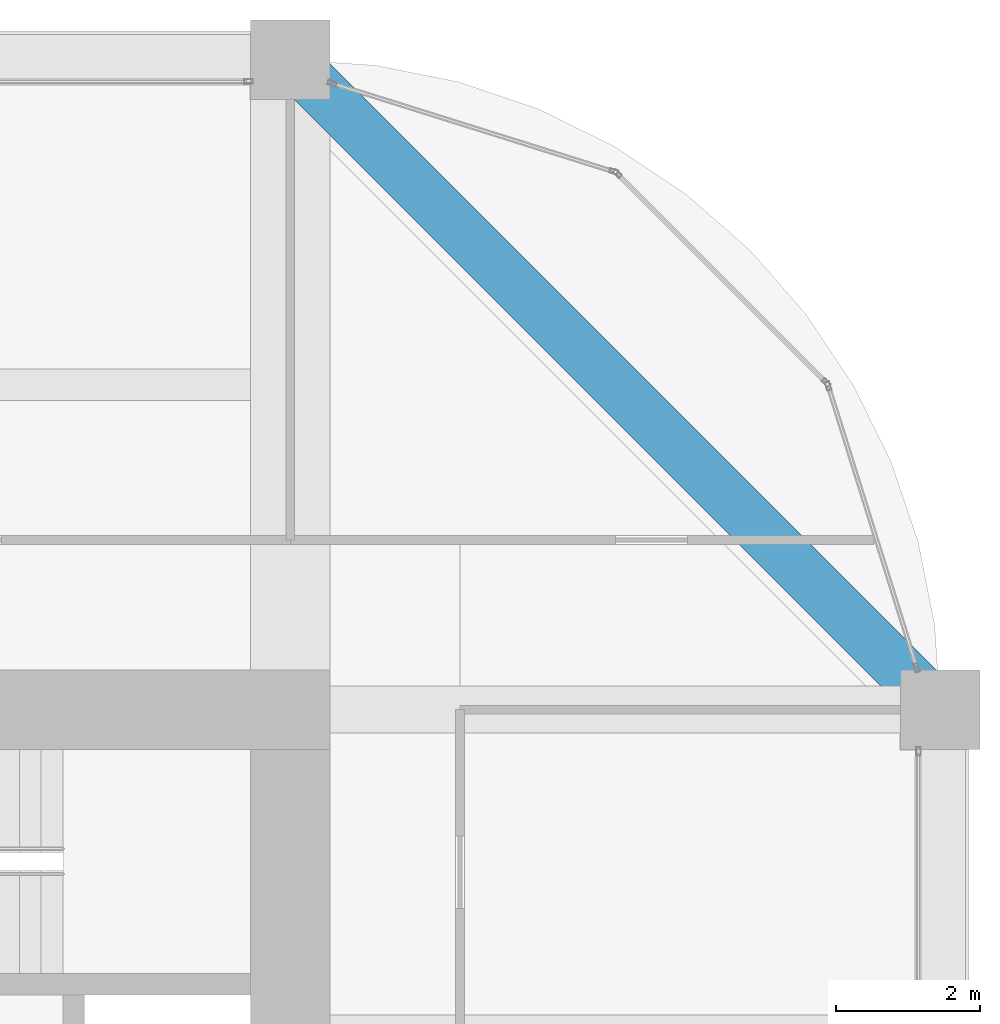
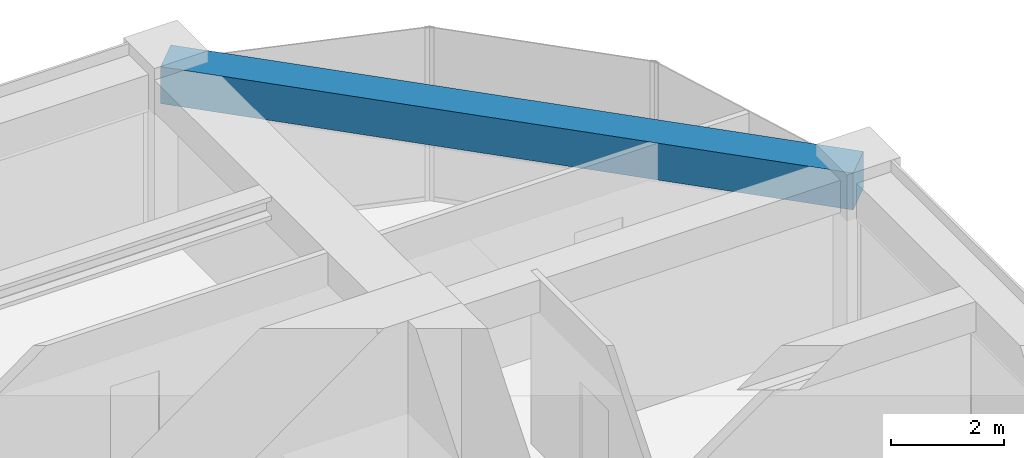
# One storey, part 38 of 44: 1 beam.
"""IFC4 building model written with IfcOpenShell, lengths in metres."""

from ifc_helpers import new_model, si_unit, direction, frame, origin, origin_2d, place, context, subcontext, project, spatial, rectangle, extrude, material, material_profile, profile_set, type_object, element, save


model = new_model("IFC4")

# Units and contexts
model_context = context("Model", 3, precision=1e-05, world=origin(), true_north=direction((0.0, 1.0)))
body_context = subcontext(model_context, "Body", "Model", "MODEL_VIEW")
ifc_project = project(units=[si_unit("LENGTHUNIT", "METRE"), si_unit("AREAUNIT", "SQUARE_METRE"), si_unit("VOLUMEUNIT", "CUBIC_METRE"), si_unit("PLANEANGLEUNIT", "RADIAN"), si_unit("MASSUNIT", "GRAM", prefix="KILO")], contexts=[model_context])

# Site, building, storey
site_placement = place(None, origin())
site = spatial("IfcSite", under=ifc_project, at=site_placement, CompositionType="ELEMENT")
building_placement = place(site_placement, origin())
building = spatial("IfcBuilding", under=site, at=building_placement, Name="Zorevar Civic Tower", CompositionType="ELEMENT")
storey_placement = place(building_placement, frame((0.0, 0.0, 255.39990234375)))
storey = spatial("IfcBuildingStorey", under=building, at=storey_placement, Name="L62", CompositionType="ELEMENT", Elevation=255.39990234375)

# Beam
ifc_material = material(Name="Concrete C50/60", Category="concrete")
ifc_material_profile = material_profile(ifc_material, rectangle(XDim=0.699951171875, YDim=0.800048828125, at=origin_2d()), Name="RC 700x800")
ifc_profile_set = profile_set([ifc_material_profile], Name="Concrete C50/60")
beam_type = type_object("IfcBeamType", Name="Edge beam RC 700x800", PredefinedType="SPANDREL", material=ifc_profile_set)
beam_placement = place(storey_placement, frame((54.0, 36.0, 3.35009765625), z_axis=(-0.707106781187, 0.707106781187, 0.0), x_axis=(-0.707106781187, -0.707106781187, 0.0)))
element("IfcBeam", 1, at=beam_placement, inside=storey, type_object=beam_type, Name="Corner edge beam L63", PredefinedType="SPANDREL", context=body_context, shape_type="SweptSolid", body=[
    extrude(rectangle(XDim=0.699951171875, YDim=0.800048828125, at=origin_2d()), origin(), (0.0, 0.0, 1.0), 12.72802734375),
])

save(model, "model.ifc")
